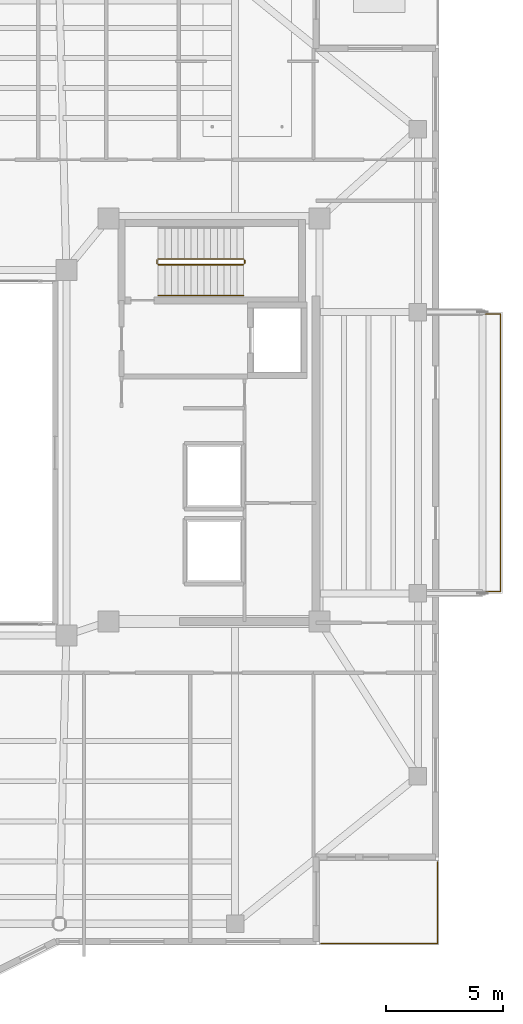
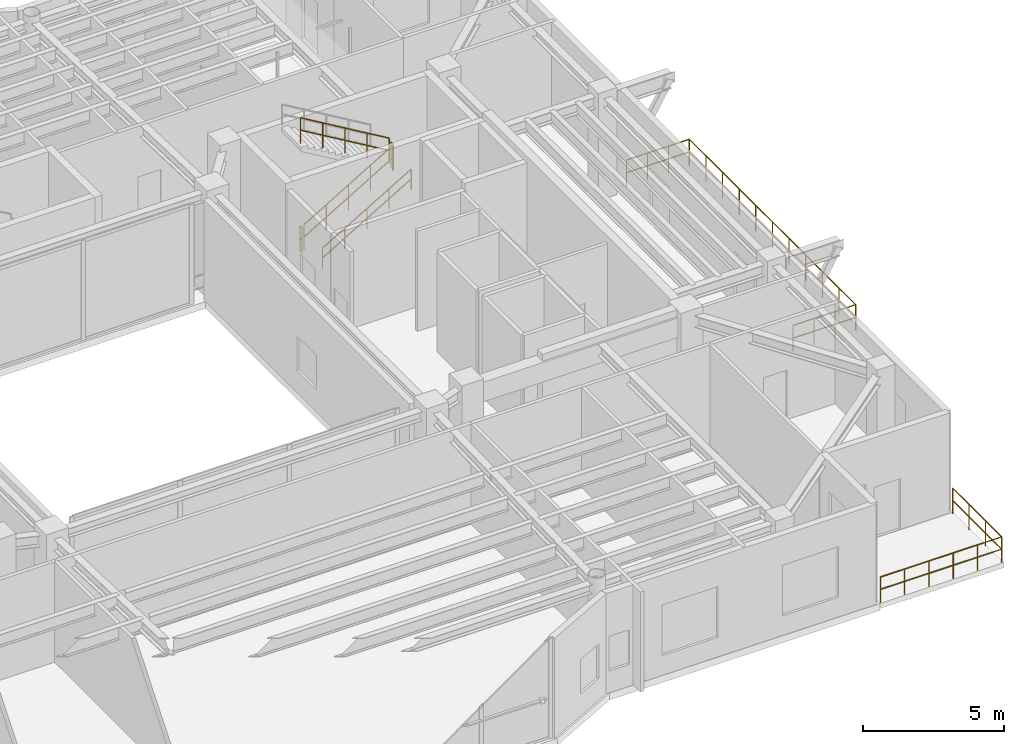
# One storey, part 21 of 23: 8 railings.
"""IFC4 building model written with IfcOpenShell, lengths in metres."""

from ifc_helpers import new_model, si_unit, direction, frame, origin, origin_2d, place, context, subcontext, project, spatial, circle, extrude, material, type_object, element, save


model = new_model("IFC4")

# Units and contexts
model_context = context("Model", 3, precision=1e-05, world=origin(), true_north=direction((0.0, 1.0)))
body_context = subcontext(model_context, "Body", "Model", "MODEL_VIEW")
ifc_project = project(units=[si_unit("LENGTHUNIT", "METRE"), si_unit("AREAUNIT", "SQUARE_METRE"), si_unit("VOLUMEUNIT", "CUBIC_METRE"), si_unit("PLANEANGLEUNIT", "RADIAN"), si_unit("MASSUNIT", "GRAM", prefix="KILO")], contexts=[model_context])

# Site, building, storey
site_placement = place(None, origin())
site = spatial("IfcSite", under=ifc_project, at=site_placement, CompositionType="ELEMENT")
building_placement = place(site_placement, origin())
building = spatial("IfcBuilding", under=site, at=building_placement, Name="Tarnavaz Court Tower", CompositionType="ELEMENT")
storey_placement = place(building_placement, frame((0.0, 0.0, 227.10009765625)))
storey = spatial("IfcBuildingStorey", under=building, at=storey_placement, Name="L62", CompositionType="ELEMENT", Elevation=227.10009765625)

# Railings
ifc_material_1 = material(Name="Anodised Aluminium 6063-T6 and Laminated Safety Glass", Category="aluminium")
railing_type_1 = type_object("IfcRailingType", Name="RL-BAL-1120", PredefinedType="BALUSTRADE", material=ifc_material_1)
railing_1_placement = place(storey_placement, frame((18.659912109375, -20.93994140625, 0.0)))
element("IfcRailing", 1, at=railing_1_placement, inside=storey, type_object=railing_type_1, Name="L62 Terrace 3 S Perimeter Balustrade", PredefinedType="BALUSTRADE", context=body_context, shape_type="SweptSolid", body=[
    extrude(circle(Radius=0.02392578125, at=origin_2d()), frame((0.0, 0.0, 1.09619140625), z_axis=(1.0, 0.0, 0.0), x_axis=(0.0, 1.0, 0.0)), (0.0, 0.0, 1.0), 4.97998046875),
    extrude(circle(Radius=0.02392578125, at=origin_2d()), frame((0.0, 0.0, 0.56005859375), z_axis=(1.0, 0.0, 0.0), x_axis=(0.0, 1.0, 0.0)), (0.0, 0.0, 1.0), 4.97998046875),
    extrude(circle(Radius=0.02099609375, at=origin_2d()), origin(), (0.0, 0.0, 1.0), 1.072021484375),
    extrude(circle(Radius=0.02099609375, at=origin_2d()), frame((0.99609375, 0.0, 0.0)), (0.0, 0.0, 1.0), 1.072021484375),
    extrude(circle(Radius=0.02099609375, at=origin_2d()), frame((1.991943359375, 0.0, 0.0)), (0.0, 0.0, 1.0), 1.072021484375),
    extrude(circle(Radius=0.02099609375, at=origin_2d()), frame((2.988037109375, 0.0, 0.0)), (0.0, 0.0, 1.0), 1.072021484375),
    extrude(circle(Radius=0.02099609375, at=origin_2d()), frame((3.98388671875, 0.0, 0.0)), (0.0, 0.0, 1.0), 1.072021484375),
    extrude(circle(Radius=0.02099609375, at=origin_2d()), frame((4.97998046875, 0.0, 0.0)), (0.0, 0.0, 1.0), 1.072021484375),
])
railing_2_placement = place(storey_placement, frame((23.639892578125, -20.93994140625, 0.0)))
element("IfcRailing", 2, at=railing_2_placement, inside=storey, type_object=railing_type_1, Name="L62 Terrace 3 E Perimeter Balustrade", PredefinedType="BALUSTRADE", context=body_context, shape_type="SweptSolid", body=[
    extrude(circle(Radius=0.02392578125, at=origin_2d()), frame((0.0, 0.0, 1.09619140625), z_axis=(0.0, 1.0, 0.0), x_axis=(-1.0, 0.0, 0.0)), (0.0, 0.0, 1.0), 3.47998046875),
    extrude(circle(Radius=0.02392578125, at=origin_2d()), frame((0.0, 0.0, 0.56005859375), z_axis=(0.0, 1.0, 0.0), x_axis=(-1.0, 0.0, 0.0)), (0.0, 0.0, 1.0), 3.47998046875),
    extrude(circle(Radius=0.02099609375, at=origin_2d()), origin(), (0.0, 0.0, 1.0), 1.072021484375),
    extrude(circle(Radius=0.02099609375, at=origin_2d()), frame((0.0, 1.159912109375, 0.0)), (0.0, 0.0, 1.0), 1.072021484375),
    extrude(circle(Radius=0.02099609375, at=origin_2d()), frame((0.0, 2.320068359375, 0.0)), (0.0, 0.0, 1.0), 1.072021484375),
    extrude(circle(Radius=0.02099609375, at=origin_2d()), frame((0.0, 3.47998046875, 0.0)), (0.0, 0.0, 1.0), 1.072021484375),
])
railing_3_placement = place(storey_placement, frame((23.75, -5.919921875, 0.0)))
element("IfcRailing", 3, at=railing_3_placement, inside=storey, type_object=railing_type_1, Name="L62 Cantilevered Sky-Pool Safety Glass Balustrade", PredefinedType="BALUSTRADE", context=body_context, shape_type="SweptSolid", body=[
    extrude(circle(Radius=0.02392578125, at=origin_2d()), frame((0.0, 0.0, 1.1259765625), z_axis=(1.0, 0.0, 0.0), x_axis=(0.0, 1.0, 0.0)), (0.0, 0.0, 1.0), 2.570068359375),
    extrude(circle(Radius=0.02392578125, at=origin_2d()), frame((0.0, 0.0, 0.574951171875), z_axis=(1.0, 0.0, 0.0), x_axis=(0.0, 1.0, 0.0)), (0.0, 0.0, 1.0), 2.570068359375),
    extrude(circle(Radius=0.02392578125, at=origin_2d()), frame((2.570068359375, 0.0, 1.1259765625), z_axis=(0.0, 1.0, 0.0), x_axis=(-1.0, 0.0, 0.0)), (0.0, 0.0, 1.0), 11.83984375),
    extrude(circle(Radius=0.02392578125, at=origin_2d()), frame((2.570068359375, 0.0, 0.574951171875), z_axis=(0.0, 1.0, 0.0), x_axis=(-1.0, 0.0, 0.0)), (0.0, 0.0, 1.0), 11.83984375),
    extrude(circle(Radius=0.02392578125, at=origin_2d()), frame((2.570068359375, 11.83984375, 1.1259765625), z_axis=(-1.0, 0.0, 0.0), x_axis=(0.0, -1.0, 0.0)), (0.0, 0.0, 1.0), 2.570068359375),
    extrude(circle(Radius=0.02392578125, at=origin_2d()), frame((2.570068359375, 11.83984375, 0.574951171875), z_axis=(-1.0, 0.0, 0.0), x_axis=(0.0, -1.0, 0.0)), (0.0, 0.0, 1.0), 2.570068359375),
    extrude(circle(Radius=0.02099609375, at=origin_2d()), origin(), (0.0, 0.0, 1.0), 1.101806640625),
    extrude(circle(Radius=0.02099609375, at=origin_2d()), frame((0.856689453125, 0.0, 0.0)), (0.0, 0.0, 1.0), 1.101806640625),
    extrude(circle(Radius=0.02099609375, at=origin_2d()), frame((1.71337890625, 0.0, 0.0)), (0.0, 0.0, 1.0), 1.101806640625),
    extrude(circle(Radius=0.02099609375, at=origin_2d()), frame((2.570068359375, 0.0, 0.0)), (0.0, 0.0, 1.0), 1.101806640625),
    extrude(circle(Radius=0.02099609375, at=origin_2d()), frame((2.570068359375, 1.18408203125, 0.0)), (0.0, 0.0, 1.0), 1.101806640625),
    extrude(circle(Radius=0.02099609375, at=origin_2d()), frame((2.570068359375, 2.367919921875, 0.0)), (0.0, 0.0, 1.0), 1.101806640625),
    extrude(circle(Radius=0.02099609375, at=origin_2d()), frame((2.570068359375, 3.552001953125, 0.0)), (0.0, 0.0, 1.0), 1.101806640625),
    extrude(circle(Radius=0.02099609375, at=origin_2d()), frame((2.570068359375, 4.73583984375, 0.0)), (0.0, 0.0, 1.0), 1.101806640625),
    extrude(circle(Radius=0.02099609375, at=origin_2d()), frame((2.570068359375, 5.919921875, 0.0)), (0.0, 0.0, 1.0), 1.101806640625),
    extrude(circle(Radius=0.02099609375, at=origin_2d()), frame((2.570068359375, 7.10400390625, 0.0)), (0.0, 0.0, 1.0), 1.101806640625),
    extrude(circle(Radius=0.02099609375, at=origin_2d()), frame((2.570068359375, 8.287841796875, 0.0)), (0.0, 0.0, 1.0), 1.101806640625),
    extrude(circle(Radius=0.02099609375, at=origin_2d()), frame((2.570068359375, 9.471923828125, 0.0)), (0.0, 0.0, 1.0), 1.101806640625),
    extrude(circle(Radius=0.02099609375, at=origin_2d()), frame((2.570068359375, 10.65576171875, 0.0)), (0.0, 0.0, 1.0), 1.101806640625),
    extrude(circle(Radius=0.02099609375, at=origin_2d()), frame((2.570068359375, 11.83984375, 0.0)), (0.0, 0.0, 1.0), 1.101806640625),
    extrude(circle(Radius=0.02099609375, at=origin_2d()), frame((1.71337890625, 11.83984375, 0.0)), (0.0, 0.0, 1.0), 1.101806640625),
    extrude(circle(Radius=0.02099609375, at=origin_2d()), frame((0.856689453125, 11.83984375, 0.0)), (0.0, 0.0, 1.0), 1.101806640625),
    extrude(circle(Radius=0.02099609375, at=origin_2d()), frame((0.0, 11.83984375, 0.0)), (0.0, 0.0, 1.0), 1.101806640625),
])
ifc_material_2 = material(Name="Brushed Stainless Steel", Category="steel")
railing_type_2 = type_object("IfcRailingType", Name="RL-HANDRAIL-900", PredefinedType="HANDRAIL", material=ifc_material_2)
railing_4_placement = place(storey_placement, frame((11.719970703125, 6.699951171875, 0.166015625)))
element("IfcRailing", 4, at=railing_4_placement, inside=storey, type_object=railing_type_2, Name="L62 ST-E1 stair handrail 1", PredefinedType="HANDRAIL", context=body_context, shape_type="SweptSolid", body=[
    extrude(circle(Radius=0.02392578125, at=origin_2d()), frame((0.0, 0.0, 0.8759765625), z_axis=(0.860103130531, 0.0, 0.510120186672), x_axis=(0.0, 1.0, 0.0)), (0.0, 0.0, 1.0), 4.232177734375),
    extrude(circle(Radius=0.02392578125, at=origin_2d()), frame((0.0, 0.0, 0.449951171875), z_axis=(0.860103130531, 0.0, 0.510120186672), x_axis=(0.0, 1.0, 0.0)), (0.0, 0.0, 1.0), 4.232177734375),
    extrude(circle(Radius=0.02099609375, at=origin_2d()), origin(), (0.0, 0.0, 1.0), 0.851806640625),
    extrude(circle(Radius=0.02099609375, at=origin_2d()), frame((0.91015625, 0.0, 0.539794921875)), (0.0, 0.0, 1.0), 0.851806640625),
    extrude(circle(Radius=0.02099609375, at=origin_2d()), frame((1.820068359375, 0.0, 1.07958984375)), (0.0, 0.0, 1.0), 0.851806640625),
    extrude(circle(Radius=0.02099609375, at=origin_2d()), frame((2.72998046875, 0.0, 1.619140625)), (0.0, 0.0, 1.0), 0.851806640625),
    extrude(circle(Radius=0.02099609375, at=origin_2d()), frame((3.64013671875, 0.0, 2.158935546875)), (0.0, 0.0, 1.0), 0.851806640625),
])
ifc_material_3 = material(Name="Galvanized Painted Tubular Steel", Category="steel")
railing_type_3 = type_object("IfcRailingType", Name="RL-STGUARD-1120", PredefinedType="GUARDRAIL", material=ifc_material_3)
railing_5_placement = place(storey_placement, frame((11.719970703125, 8.02001953125, 0.166015625)))
element("IfcRailing", 5, at=railing_5_placement, inside=storey, type_object=railing_type_3, Name="L62 ST-E1 stair guard 1", PredefinedType="GUARDRAIL", context=body_context, shape_type="SweptSolid", body=[
    extrude(circle(Radius=0.02392578125, at=origin_2d()), frame((0.0, 0.0, 1.09619140625), z_axis=(0.860103130531, 0.0, 0.510120186672), x_axis=(0.0, 1.0, 0.0)), (0.0, 0.0, 1.0), 4.232177734375),
    extrude(circle(Radius=0.02392578125, at=origin_2d()), frame((0.0, 0.0, 0.56005859375), z_axis=(0.860103130531, 0.0, 0.510120186672), x_axis=(0.0, 1.0, 0.0)), (0.0, 0.0, 1.0), 4.232177734375),
    extrude(circle(Radius=0.02099609375, at=origin_2d()), origin(), (0.0, 0.0, 1.0), 1.072021484375),
    extrude(circle(Radius=0.02099609375, at=origin_2d()), frame((0.91015625, 0.0, 0.539794921875)), (0.0, 0.0, 1.0), 1.072021484375),
    extrude(circle(Radius=0.02099609375, at=origin_2d()), frame((1.820068359375, 0.0, 1.07958984375)), (0.0, 0.0, 1.0), 1.072021484375),
    extrude(circle(Radius=0.02099609375, at=origin_2d()), frame((2.72998046875, 0.0, 1.619140625)), (0.0, 0.0, 1.0), 1.072021484375),
    extrude(circle(Radius=0.02099609375, at=origin_2d()), frame((3.64013671875, 0.0, 2.158935546875)), (0.0, 0.0, 1.0), 1.072021484375),
])
railing_6_placement = place(storey_placement, frame((15.409912109375, 8.070068359375, 2.324951171875)))
element("IfcRailing", 6, at=railing_6_placement, inside=storey, type_object=railing_type_3, Name="L62 ST-E1 stair guard 2", PredefinedType="GUARDRAIL", context=body_context, shape_type="SweptSolid", body=[
    extrude(circle(Radius=0.02392578125, at=origin_2d()), frame((0.0, 0.0, 1.09619140625), z_axis=(0.0, 1.0, 0.0), x_axis=(-1.0, 0.0, 0.0)), (0.0, 0.0, 1.0), 0.14990234375),
    extrude(circle(Radius=0.02392578125, at=origin_2d()), frame((0.0, 0.0, 0.56005859375), z_axis=(0.0, 1.0, 0.0), x_axis=(-1.0, 0.0, 0.0)), (0.0, 0.0, 1.0), 0.14990234375),
    extrude(circle(Radius=0.02099609375, at=origin_2d()), origin(), (0.0, 0.0, 1.0), 1.072021484375),
    extrude(circle(Radius=0.02099609375, at=origin_2d()), frame((0.0, 0.14990234375, 0.0)), (0.0, 0.0, 1.0), 1.072021484375),
])
railing_7_placement = place(storey_placement, frame((15.360107421875, 8.27001953125, 2.490966796875)))
element("IfcRailing", 7, at=railing_7_placement, inside=storey, type_object=railing_type_3, Name="L62 ST-E1 stair guard 3", PredefinedType="GUARDRAIL", context=body_context, shape_type="SweptSolid", body=[
    extrude(circle(Radius=0.02392578125, at=origin_2d()), frame((0.0, 0.0, 1.09619140625), z_axis=(-0.860103130531, 0.0, 0.510120186672), x_axis=(0.0, -1.0, 0.0)), (0.0, 0.0, 1.0), 4.232177734375),
    extrude(circle(Radius=0.02392578125, at=origin_2d()), frame((0.0, 0.0, 0.56005859375), z_axis=(-0.860103130531, 0.0, 0.510120186672), x_axis=(0.0, -1.0, 0.0)), (0.0, 0.0, 1.0), 4.232177734375),
    extrude(circle(Radius=0.02099609375, at=origin_2d()), origin(), (0.0, 0.0, 1.0), 1.072021484375),
    extrude(circle(Radius=0.02099609375, at=origin_2d()), frame((-0.91015625, 0.0, 0.539794921875)), (0.0, 0.0, 1.0), 1.072021484375),
    extrude(circle(Radius=0.02099609375, at=origin_2d()), frame((-1.820068359375, 0.0, 1.07958984375)), (0.0, 0.0, 1.0), 1.072021484375),
    extrude(circle(Radius=0.02099609375, at=origin_2d()), frame((-2.72998046875, 0.0, 1.619140625)), (0.0, 0.0, 1.0), 1.072021484375),
    extrude(circle(Radius=0.02099609375, at=origin_2d()), frame((-3.64013671875, 0.0, 2.158935546875)), (0.0, 0.0, 1.0), 1.072021484375),
])
railing_8_placement = place(storey_placement, frame((11.669921875, 8.070068359375, 0.0)))
element("IfcRailing", 8, at=railing_8_placement, inside=storey, type_object=railing_type_3, Name="L62 ST-E1 stair guard 4", PredefinedType="GUARDRAIL", context=body_context, shape_type="SweptSolid", body=[
    extrude(circle(Radius=0.02392578125, at=origin_2d()), frame((0.0, 0.0, 1.09619140625), z_axis=(0.0, 1.0, 0.0), x_axis=(-1.0, 0.0, 0.0)), (0.0, 0.0, 1.0), 0.14990234375),
    extrude(circle(Radius=0.02392578125, at=origin_2d()), frame((0.0, 0.0, 0.56005859375), z_axis=(0.0, 1.0, 0.0), x_axis=(-1.0, 0.0, 0.0)), (0.0, 0.0, 1.0), 0.14990234375),
    extrude(circle(Radius=0.02099609375, at=origin_2d()), origin(), (0.0, 0.0, 1.0), 1.072021484375),
    extrude(circle(Radius=0.02099609375, at=origin_2d()), frame((0.0, 0.14990234375, 0.0)), (0.0, 0.0, 1.0), 1.072021484375),
])

save(model, "model.ifc")
